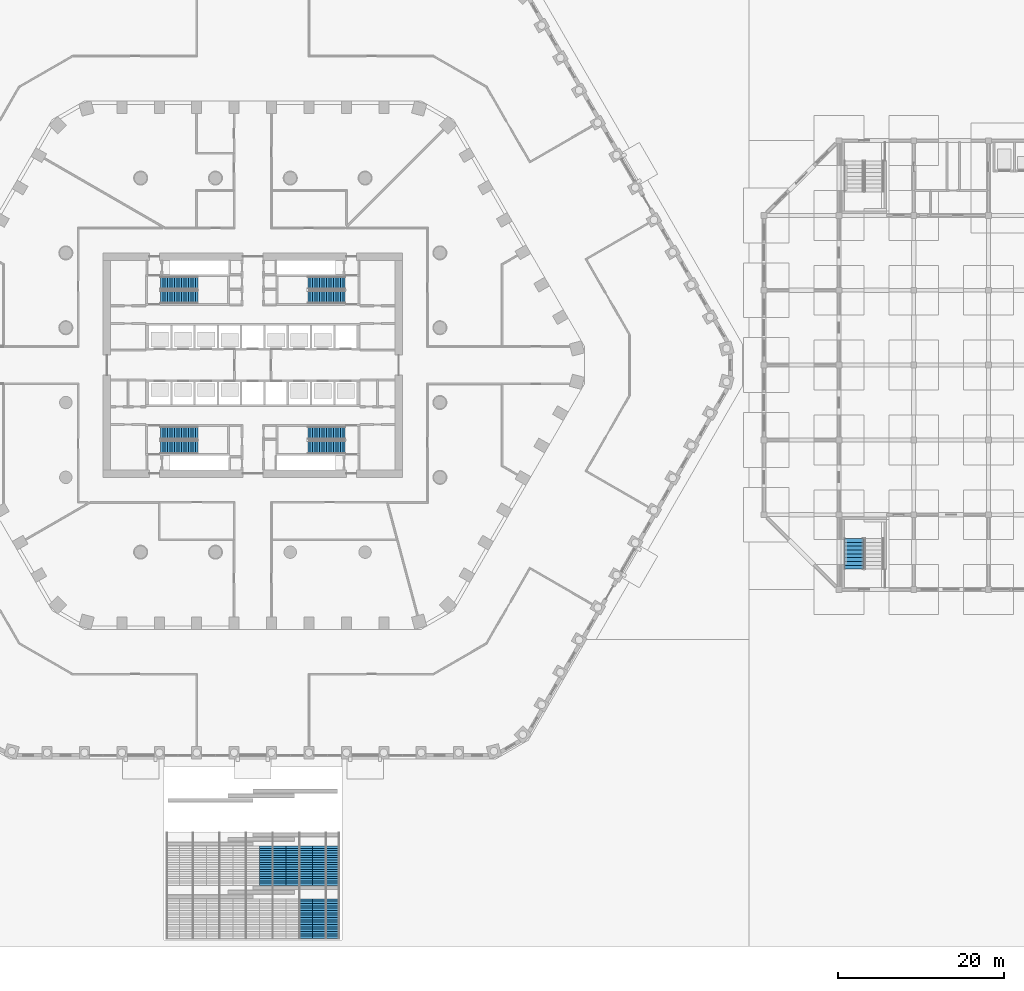
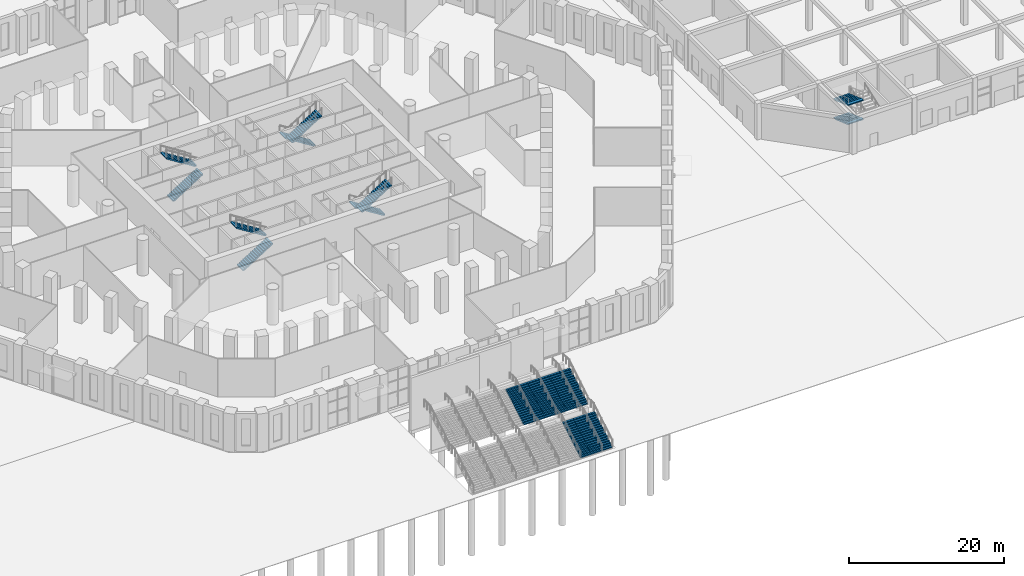
# One storey, part 29 of 44: 19 stair flights, 6 elements without a shape of their own.
"""IFC4 building model written with IfcOpenShell, lengths in metres."""

from ifc_helpers import new_model, si_unit, direction, frame, origin, place, context, subcontext, project, spatial, polyline, outline, extrude, material, type_object, element, aggregate, save


model = new_model("IFC4")

# Units and contexts
model_context = context("Model", 3, precision=1e-05, world=origin(), true_north=direction((0.0, 1.0)))
body_context = subcontext(model_context, "Body", "Model", "MODEL_VIEW")
ifc_project = project(units=[si_unit("LENGTHUNIT", "METRE"), si_unit("AREAUNIT", "SQUARE_METRE"), si_unit("VOLUMEUNIT", "CUBIC_METRE"), si_unit("PLANEANGLEUNIT", "RADIAN"), si_unit("MASSUNIT", "GRAM", prefix="KILO")], contexts=[model_context])

# Site, building, storey
site_placement = place(None, origin())
site = spatial("IfcSite", under=ifc_project, at=site_placement, CompositionType="ELEMENT")
building_placement = place(site_placement, origin())
building = spatial("IfcBuilding", under=site, at=building_placement, Name="Dhurran Vertical Campus", CompositionType="ELEMENT")
storey_placement = place(building_placement, origin())
storey = spatial("IfcBuildingStorey", under=building, at=storey_placement, Name="L00", CompositionType="ELEMENT", Elevation=0.0)

# Stair, stair flights
ifc_material_1 = material(Name="Concrete C40/50", Category="concrete")
stair_type_1 = type_object("IfcStairType", Name="co-ST-CORE", PredefinedType="HALF_TURN_STAIR", material=ifc_material_1)
stair_1_placement = place(storey_placement, origin())
stair_1 = element("IfcStair", 1, at=stair_1_placement, inside=storey, type_object=stair_type_1, Name="L00 Protected exit stair ST1", PredefinedType="HALF_TURN_STAIR")
ifc_material_2 = material(Name="Concrete C40/50", Category="concrete")
stair_flight_type_1 = type_object("IfcStairFlightType", Name="co-SFL-RC", PredefinedType="STRAIGHT", material=ifc_material_2)
stair_flight_1_placement = place(storey_placement, frame((-11.10009765625, 8.175048828125, 0.0), z_axis=(0.0, 0.0, 1.0), x_axis=(1.0, 0.0, 0.0)))
stair_flight_1 = element("IfcStairFlight", 2, at=stair_flight_1_placement, type_object=stair_flight_type_1, Name="ST1 flight 1", NumberOfRisers=17, NumberOfTreads=16, PredefinedType="STRAIGHT", RiserHeight=0.176470588, TreadLength=0.28, context=body_context, shape_type="SweptSolid", body=[
    extrude(outline(polyline([(0.0, 0.0), (0.0, 0.176513671875), (0.280029296875, 0.176513671875), (0.280029296875, 0.35302734375), (0.56005859375, 0.35302734375), (0.56005859375, 0.529296875), (0.840087890625, 0.529296875), (0.840087890625, 0.705810546875), (1.1201171875, 0.705810546875), (1.1201171875, 0.88232421875), (1.39990234375, 0.88232421875), (1.39990234375, 1.058837890625), (1.679931640625, 1.058837890625), (1.679931640625, 1.2353515625), (1.9599609375, 1.2353515625), (1.9599609375, 1.411865234375), (2.239990234375, 1.411865234375), (2.239990234375, 1.588134765625), (2.52001953125, 1.588134765625), (2.52001953125, 1.7646484375), (2.800048828125, 1.7646484375), (2.800048828125, 1.941162109375), (3.080078125, 1.941162109375), (3.080078125, 2.11767578125), (3.360107421875, 2.11767578125), (3.360107421875, 2.294189453125), (3.639892578125, 2.294189453125), (3.639892578125, 2.470703125), (3.919921875, 2.470703125), (3.919921875, 2.64697265625), (4.199951171875, 2.64697265625), (4.199951171875, 2.823486328125), (4.47998046875, 2.823486328125), (4.47998046875, 3.0), (4.47998046875, 2.646240234375), (0.28125, 0.0), (0.0, 0.0)])), frame((0.0, 0.77490234375, 0.0), z_axis=(0.0, -1.0, 0.0), x_axis=(1.0, 0.0, 0.0)), (0.0, 0.0, 1.0), 1.550048828125),
])
stair_flight_2_placement = place(storey_placement, frame((-6.6201171875, 9.875, 3.0), z_axis=(0.0, 0.0, 1.0), x_axis=(-1.0, 0.0, 0.0)))
stair_flight_2 = element("IfcStairFlight", 3, at=stair_flight_2_placement, type_object=stair_flight_type_1, Name="ST1 flight 2", NumberOfRisers=17, NumberOfTreads=16, PredefinedType="STRAIGHT", RiserHeight=0.176470588, TreadLength=0.28, context=body_context, shape_type="SweptSolid", body=[
    extrude(outline(polyline([(0.0, 0.0), (0.0, 0.176513671875), (0.280029296875, 0.176513671875), (0.280029296875, 0.35302734375), (0.56005859375, 0.35302734375), (0.56005859375, 0.529296875), (0.840087890625, 0.529296875), (0.840087890625, 0.705810546875), (1.1201171875, 0.705810546875), (1.1201171875, 0.88232421875), (1.39990234375, 0.88232421875), (1.39990234375, 1.058837890625), (1.679931640625, 1.058837890625), (1.679931640625, 1.2353515625), (1.9599609375, 1.2353515625), (1.9599609375, 1.411865234375), (2.239990234375, 1.411865234375), (2.239990234375, 1.588134765625), (2.52001953125, 1.588134765625), (2.52001953125, 1.7646484375), (2.800048828125, 1.7646484375), (2.800048828125, 1.941162109375), (3.080078125, 1.941162109375), (3.080078125, 2.11767578125), (3.360107421875, 2.11767578125), (3.360107421875, 2.294189453125), (3.639892578125, 2.294189453125), (3.639892578125, 2.470703125), (3.919921875, 2.470703125), (3.919921875, 2.64697265625), (4.199951171875, 2.64697265625), (4.199951171875, 2.823486328125), (4.47998046875, 2.823486328125), (4.47998046875, 3.0), (4.47998046875, 2.646240234375), (0.28125, 0.0), (0.0, 0.0)])), frame((0.0, 0.77490234375, 0.0), z_axis=(0.0, -1.0, 0.0), x_axis=(1.0, 0.0, 0.0)), (0.0, 0.0, 1.0), 1.550048828125),
])
aggregate(stair_1, [stair_flight_1, stair_flight_2])

stair_2_placement = place(storey_placement, origin())
stair_2 = element("IfcStair", 4, at=stair_2_placement, inside=storey, type_object=stair_type_1, Name="L00 Protected exit stair ST2", PredefinedType="HALF_TURN_STAIR")
stair_flight_3_placement = place(storey_placement, frame((11.10009765625, 9.875, 0.0), z_axis=(0.0, 0.0, 1.0), x_axis=(-1.0, 0.0, 0.0)))
stair_flight_3 = element("IfcStairFlight", 5, at=stair_flight_3_placement, type_object=stair_flight_type_1, Name="ST2 flight 1", NumberOfRisers=17, NumberOfTreads=16, PredefinedType="STRAIGHT", RiserHeight=0.176470588, TreadLength=0.28, context=body_context, shape_type="SweptSolid", body=[
    extrude(outline(polyline([(0.0, 0.0), (0.0, 0.176513671875), (0.280029296875, 0.176513671875), (0.280029296875, 0.35302734375), (0.56005859375, 0.35302734375), (0.56005859375, 0.529296875), (0.840087890625, 0.529296875), (0.840087890625, 0.705810546875), (1.1201171875, 0.705810546875), (1.1201171875, 0.88232421875), (1.39990234375, 0.88232421875), (1.39990234375, 1.058837890625), (1.679931640625, 1.058837890625), (1.679931640625, 1.2353515625), (1.9599609375, 1.2353515625), (1.9599609375, 1.411865234375), (2.239990234375, 1.411865234375), (2.239990234375, 1.588134765625), (2.52001953125, 1.588134765625), (2.52001953125, 1.7646484375), (2.800048828125, 1.7646484375), (2.800048828125, 1.941162109375), (3.080078125, 1.941162109375), (3.080078125, 2.11767578125), (3.360107421875, 2.11767578125), (3.360107421875, 2.294189453125), (3.639892578125, 2.294189453125), (3.639892578125, 2.470703125), (3.919921875, 2.470703125), (3.919921875, 2.64697265625), (4.199951171875, 2.64697265625), (4.199951171875, 2.823486328125), (4.47998046875, 2.823486328125), (4.47998046875, 3.0), (4.47998046875, 2.646240234375), (0.28125, 0.0), (0.0, 0.0)])), frame((0.0, 0.77490234375, 0.0), z_axis=(0.0, -1.0, 0.0), x_axis=(1.0, 0.0, 0.0)), (0.0, 0.0, 1.0), 1.550048828125),
])
stair_flight_4_placement = place(storey_placement, frame((6.6201171875, 8.175048828125, 3.0), z_axis=(0.0, 0.0, 1.0), x_axis=(1.0, 0.0, 0.0)))
stair_flight_4 = element("IfcStairFlight", 6, at=stair_flight_4_placement, type_object=stair_flight_type_1, Name="ST2 flight 2", NumberOfRisers=17, NumberOfTreads=16, PredefinedType="STRAIGHT", RiserHeight=0.176470588, TreadLength=0.28, context=body_context, shape_type="SweptSolid", body=[
    extrude(outline(polyline([(0.0, 0.0), (0.0, 0.176513671875), (0.280029296875, 0.176513671875), (0.280029296875, 0.35302734375), (0.56005859375, 0.35302734375), (0.56005859375, 0.529296875), (0.840087890625, 0.529296875), (0.840087890625, 0.705810546875), (1.1201171875, 0.705810546875), (1.1201171875, 0.88232421875), (1.39990234375, 0.88232421875), (1.39990234375, 1.058837890625), (1.679931640625, 1.058837890625), (1.679931640625, 1.2353515625), (1.9599609375, 1.2353515625), (1.9599609375, 1.411865234375), (2.239990234375, 1.411865234375), (2.239990234375, 1.588134765625), (2.52001953125, 1.588134765625), (2.52001953125, 1.7646484375), (2.800048828125, 1.7646484375), (2.800048828125, 1.941162109375), (3.080078125, 1.941162109375), (3.080078125, 2.11767578125), (3.360107421875, 2.11767578125), (3.360107421875, 2.294189453125), (3.639892578125, 2.294189453125), (3.639892578125, 2.470703125), (3.919921875, 2.470703125), (3.919921875, 2.64697265625), (4.199951171875, 2.64697265625), (4.199951171875, 2.823486328125), (4.47998046875, 2.823486328125), (4.47998046875, 3.0), (4.47998046875, 2.646240234375), (0.28125, 0.0), (0.0, 0.0)])), frame((0.0, 0.77490234375, 0.0), z_axis=(0.0, -1.0, 0.0), x_axis=(1.0, 0.0, 0.0)), (0.0, 0.0, 1.0), 1.550048828125),
])
aggregate(stair_2, [stair_flight_3, stair_flight_4])

stair_3_placement = place(storey_placement, origin())
stair_3 = element("IfcStair", 7, at=stair_3_placement, inside=storey, type_object=stair_type_1, Name="L00 Protected exit stair ST3", PredefinedType="HALF_TURN_STAIR")
stair_flight_5_placement = place(storey_placement, frame((-11.10009765625, -9.875, 0.0), z_axis=(0.0, 0.0, 1.0), x_axis=(1.0, 0.0, 0.0)))
stair_flight_5 = element("IfcStairFlight", 8, at=stair_flight_5_placement, type_object=stair_flight_type_1, Name="ST3 flight 1", NumberOfRisers=17, NumberOfTreads=16, PredefinedType="STRAIGHT", RiserHeight=0.176470588, TreadLength=0.28, context=body_context, shape_type="SweptSolid", body=[
    extrude(outline(polyline([(0.0, 0.0), (0.0, 0.176513671875), (0.280029296875, 0.176513671875), (0.280029296875, 0.35302734375), (0.56005859375, 0.35302734375), (0.56005859375, 0.529296875), (0.840087890625, 0.529296875), (0.840087890625, 0.705810546875), (1.1201171875, 0.705810546875), (1.1201171875, 0.88232421875), (1.39990234375, 0.88232421875), (1.39990234375, 1.058837890625), (1.679931640625, 1.058837890625), (1.679931640625, 1.2353515625), (1.9599609375, 1.2353515625), (1.9599609375, 1.411865234375), (2.239990234375, 1.411865234375), (2.239990234375, 1.588134765625), (2.52001953125, 1.588134765625), (2.52001953125, 1.7646484375), (2.800048828125, 1.7646484375), (2.800048828125, 1.941162109375), (3.080078125, 1.941162109375), (3.080078125, 2.11767578125), (3.360107421875, 2.11767578125), (3.360107421875, 2.294189453125), (3.639892578125, 2.294189453125), (3.639892578125, 2.470703125), (3.919921875, 2.470703125), (3.919921875, 2.64697265625), (4.199951171875, 2.64697265625), (4.199951171875, 2.823486328125), (4.47998046875, 2.823486328125), (4.47998046875, 3.0), (4.47998046875, 2.646240234375), (0.28125, 0.0), (0.0, 0.0)])), frame((0.0, 0.77490234375, 0.0), z_axis=(0.0, -1.0, 0.0), x_axis=(1.0, 0.0, 0.0)), (0.0, 0.0, 1.0), 1.550048828125),
])
stair_flight_6_placement = place(storey_placement, frame((-6.6201171875, -8.175048828125, 3.0), z_axis=(0.0, 0.0, 1.0), x_axis=(-1.0, 0.0, 0.0)))
stair_flight_6 = element("IfcStairFlight", 9, at=stair_flight_6_placement, type_object=stair_flight_type_1, Name="ST3 flight 2", NumberOfRisers=17, NumberOfTreads=16, PredefinedType="STRAIGHT", RiserHeight=0.176470588, TreadLength=0.28, context=body_context, shape_type="SweptSolid", body=[
    extrude(outline(polyline([(0.0, 0.0), (0.0, 0.176513671875), (0.280029296875, 0.176513671875), (0.280029296875, 0.35302734375), (0.56005859375, 0.35302734375), (0.56005859375, 0.529296875), (0.840087890625, 0.529296875), (0.840087890625, 0.705810546875), (1.1201171875, 0.705810546875), (1.1201171875, 0.88232421875), (1.39990234375, 0.88232421875), (1.39990234375, 1.058837890625), (1.679931640625, 1.058837890625), (1.679931640625, 1.2353515625), (1.9599609375, 1.2353515625), (1.9599609375, 1.411865234375), (2.239990234375, 1.411865234375), (2.239990234375, 1.588134765625), (2.52001953125, 1.588134765625), (2.52001953125, 1.7646484375), (2.800048828125, 1.7646484375), (2.800048828125, 1.941162109375), (3.080078125, 1.941162109375), (3.080078125, 2.11767578125), (3.360107421875, 2.11767578125), (3.360107421875, 2.294189453125), (3.639892578125, 2.294189453125), (3.639892578125, 2.470703125), (3.919921875, 2.470703125), (3.919921875, 2.64697265625), (4.199951171875, 2.64697265625), (4.199951171875, 2.823486328125), (4.47998046875, 2.823486328125), (4.47998046875, 3.0), (4.47998046875, 2.646240234375), (0.28125, 0.0), (0.0, 0.0)])), frame((0.0, 0.77490234375, 0.0), z_axis=(0.0, -1.0, 0.0), x_axis=(1.0, 0.0, 0.0)), (0.0, 0.0, 1.0), 1.550048828125),
])
aggregate(stair_3, [stair_flight_5, stair_flight_6])

stair_4_placement = place(storey_placement, origin())
stair_4 = element("IfcStair", 10, at=stair_4_placement, inside=storey, type_object=stair_type_1, Name="L00 Protected exit stair ST4", PredefinedType="HALF_TURN_STAIR")
stair_flight_7_placement = place(storey_placement, frame((11.10009765625, -8.175048828125, 0.0), z_axis=(0.0, 0.0, 1.0), x_axis=(-1.0, 0.0, 0.0)))
stair_flight_7 = element("IfcStairFlight", 11, at=stair_flight_7_placement, type_object=stair_flight_type_1, Name="ST4 flight 1", NumberOfRisers=17, NumberOfTreads=16, PredefinedType="STRAIGHT", RiserHeight=0.176470588, TreadLength=0.28, context=body_context, shape_type="SweptSolid", body=[
    extrude(outline(polyline([(0.0, 0.0), (0.0, 0.176513671875), (0.280029296875, 0.176513671875), (0.280029296875, 0.35302734375), (0.56005859375, 0.35302734375), (0.56005859375, 0.529296875), (0.840087890625, 0.529296875), (0.840087890625, 0.705810546875), (1.1201171875, 0.705810546875), (1.1201171875, 0.88232421875), (1.39990234375, 0.88232421875), (1.39990234375, 1.058837890625), (1.679931640625, 1.058837890625), (1.679931640625, 1.2353515625), (1.9599609375, 1.2353515625), (1.9599609375, 1.411865234375), (2.239990234375, 1.411865234375), (2.239990234375, 1.588134765625), (2.52001953125, 1.588134765625), (2.52001953125, 1.7646484375), (2.800048828125, 1.7646484375), (2.800048828125, 1.941162109375), (3.080078125, 1.941162109375), (3.080078125, 2.11767578125), (3.360107421875, 2.11767578125), (3.360107421875, 2.294189453125), (3.639892578125, 2.294189453125), (3.639892578125, 2.470703125), (3.919921875, 2.470703125), (3.919921875, 2.64697265625), (4.199951171875, 2.64697265625), (4.199951171875, 2.823486328125), (4.47998046875, 2.823486328125), (4.47998046875, 3.0), (4.47998046875, 2.646240234375), (0.28125, 0.0), (0.0, 0.0)])), frame((0.0, 0.77490234375, 0.0), z_axis=(0.0, -1.0, 0.0), x_axis=(1.0, 0.0, 0.0)), (0.0, 0.0, 1.0), 1.550048828125),
])
stair_flight_8_placement = place(storey_placement, frame((6.6201171875, -9.875, 3.0), z_axis=(0.0, 0.0, 1.0), x_axis=(1.0, 0.0, 0.0)))
stair_flight_8 = element("IfcStairFlight", 12, at=stair_flight_8_placement, type_object=stair_flight_type_1, Name="ST4 flight 2", NumberOfRisers=17, NumberOfTreads=16, PredefinedType="STRAIGHT", RiserHeight=0.176470588, TreadLength=0.28, context=body_context, shape_type="SweptSolid", body=[
    extrude(outline(polyline([(0.0, 0.0), (0.0, 0.176513671875), (0.280029296875, 0.176513671875), (0.280029296875, 0.35302734375), (0.56005859375, 0.35302734375), (0.56005859375, 0.529296875), (0.840087890625, 0.529296875), (0.840087890625, 0.705810546875), (1.1201171875, 0.705810546875), (1.1201171875, 0.88232421875), (1.39990234375, 0.88232421875), (1.39990234375, 1.058837890625), (1.679931640625, 1.058837890625), (1.679931640625, 1.2353515625), (1.9599609375, 1.2353515625), (1.9599609375, 1.411865234375), (2.239990234375, 1.411865234375), (2.239990234375, 1.588134765625), (2.52001953125, 1.588134765625), (2.52001953125, 1.7646484375), (2.800048828125, 1.7646484375), (2.800048828125, 1.941162109375), (3.080078125, 1.941162109375), (3.080078125, 2.11767578125), (3.360107421875, 2.11767578125), (3.360107421875, 2.294189453125), (3.639892578125, 2.294189453125), (3.639892578125, 2.470703125), (3.919921875, 2.470703125), (3.919921875, 2.64697265625), (4.199951171875, 2.64697265625), (4.199951171875, 2.823486328125), (4.47998046875, 2.823486328125), (4.47998046875, 3.0), (4.47998046875, 2.646240234375), (0.28125, 0.0), (0.0, 0.0)])), frame((0.0, 0.77490234375, 0.0), z_axis=(0.0, -1.0, 0.0), x_axis=(1.0, 0.0, 0.0)), (0.0, 0.0, 1.0), 1.550048828125),
])
aggregate(stair_4, [stair_flight_7, stair_flight_8])

ifc_material_3 = material(Name="Concrete C40/50", Category="concrete")
stair_type_2 = type_object("IfcStairType", Name="hl-exit stair dog-leg", PredefinedType="HALF_TURN_STAIR", material=ifc_material_3)
stair_5_placement = place(storey_placement, origin())
stair_5 = element("IfcStair", 13, at=stair_5_placement, inside=storey, type_object=stair_type_2, Name="L00 Exit stair HST1", PredefinedType="HALF_TURN_STAIR")
ifc_material_4 = material(Name="Concrete C40/50", Category="concrete")
stair_flight_type_2 = type_object("IfcStairFlightType", Name="hl-stair flight", PredefinedType="STRAIGHT", material=ifc_material_4)
stair_flight_9_placement = place(storey_placement, frame((72.300048828125, -20.85400390625, 1.5), z_axis=(0.0, 0.0, 1.0), x_axis=(0.0, -1.0, 0.0)))
stair_flight_9 = element("IfcStairFlight", 14, at=stair_flight_9_placement, type_object=stair_flight_type_2, Name="HST1 flight 2", NumberOfRisers=9, NumberOfTreads=8, PredefinedType="STRAIGHT", RiserHeight=0.166666667, TreadLength=0.462, context=body_context, shape_type="SweptSolid", body=[
    extrude(outline(polyline([(0.0, 0.0), (0.0, 0.166748046875), (0.4619140625, 0.166748046875), (0.4619140625, 0.333251953125), (0.924072265625, 0.333251953125), (0.924072265625, 0.5), (1.385986328125, 0.5), (1.385986328125, 0.666748046875), (1.847900390625, 0.666748046875), (1.847900390625, 0.833251953125), (2.31005859375, 0.833251953125), (2.31005859375, 1.0), (2.77197265625, 1.0), (2.77197265625, 1.166748046875), (3.23388671875, 1.166748046875), (3.23388671875, 1.333251953125), (3.696044921875, 1.333251953125), (3.696044921875, 1.5), (3.696044921875, 1.174072265625), (0.441650390625, 0.0), (0.0, 0.0)])), frame((0.0, 1.14990234375, 0.0), z_axis=(0.0, -1.0, 0.0), x_axis=(1.0, 0.0, 0.0)), (0.0, 0.0, 1.0), 2.300048828125),
])
stair_flight_10_placement = place(storey_placement, frame((72.300048828125, -20.85400390625, 4.5), z_axis=(0.0, 0.0, 1.0), x_axis=(0.0, -1.0, 0.0)))
stair_flight_10 = element("IfcStairFlight", 15, at=stair_flight_10_placement, type_object=stair_flight_type_2, Name="HST1 flight 4", NumberOfRisers=9, NumberOfTreads=8, PredefinedType="STRAIGHT", RiserHeight=0.166666667, TreadLength=0.462, context=body_context, shape_type="SweptSolid", body=[
    extrude(outline(polyline([(0.0, 0.0), (0.0, 0.166748046875), (0.4619140625, 0.166748046875), (0.4619140625, 0.333251953125), (0.924072265625, 0.333251953125), (0.924072265625, 0.5), (1.385986328125, 0.5), (1.385986328125, 0.666748046875), (1.847900390625, 0.666748046875), (1.847900390625, 0.833251953125), (2.31005859375, 0.833251953125), (2.31005859375, 1.0), (2.77197265625, 1.0), (2.77197265625, 1.166748046875), (3.23388671875, 1.166748046875), (3.23388671875, 1.333251953125), (3.696044921875, 1.333251953125), (3.696044921875, 1.5), (3.696044921875, 1.174072265625), (0.441650390625, 0.0), (0.0, 0.0)])), frame((0.0, 1.14990234375, 0.0), z_axis=(0.0, -1.0, 0.0), x_axis=(1.0, 0.0, 0.0)), (0.0, 0.0, 1.0), 2.300048828125),
])
aggregate(stair_5, [stair_flight_9, stair_flight_10])

ifc_material_5 = material(Name="Concrete C40/50", Category="concrete")
stair_type_3 = type_object("IfcStairType", Name="st-broad stair straight 3 flights", PredefinedType="STRAIGHT_RUN_STAIR", material=ifc_material_5)
stair_6_placement = place(storey_placement, origin())
stair_6 = element("IfcStair", 16, at=stair_6_placement, inside=storey, type_object=stair_type_3, Name="Broad stair DS1 from the plaza to the first floor level", PredefinedType="STRAIGHT_RUN_STAIR")
ifc_material_6 = material(Name="Concrete C40/50", Category="concrete")
stair_flight_type_3 = type_object("IfcStairFlightType", Name="st-broad stair flight", PredefinedType="STRAIGHT", material=ifc_material_6)
stair_flight_11_placement = place(storey_placement, frame((6.39990234375, -68.96826171875, 0.0), z_axis=(0.0, 0.0, 1.0), x_axis=(0.0, 1.0, 0.0)))
stair_flight_11 = element("IfcStairFlight", 17, at=stair_flight_11_placement, type_object=stair_flight_type_3, Name="DS1 flight 11", NumberOfRisers=18, NumberOfTreads=17, PredefinedType="STRAIGHT", RiserHeight=0.166666667, TreadLength=0.28, context=body_context, shape_type="SweptSolid", body=[
    extrude(outline(polyline([(0.0, 0.0), (0.0, 0.166748046875), (0.280029296875, 0.166748046875), (0.280029296875, 0.333251953125), (0.56005859375, 0.333251953125), (0.56005859375, 0.5), (0.840087890625, 0.5), (0.840087890625, 0.666748046875), (1.1201171875, 0.666748046875), (1.1201171875, 0.833251953125), (1.39990234375, 0.833251953125), (1.39990234375, 1.0), (1.679931640625, 1.0), (1.679931640625, 1.166748046875), (1.9599609375, 1.166748046875), (1.9599609375, 1.333251953125), (2.239990234375, 1.333251953125), (2.239990234375, 1.5), (2.52001953125, 1.5), (2.52001953125, 1.666748046875), (2.800048828125, 1.666748046875), (2.800048828125, 1.833251953125), (3.080078125, 1.833251953125), (3.080078125, 2.0), (3.360107421875, 2.0), (3.360107421875, 2.166748046875), (3.639892578125, 2.166748046875), (3.639892578125, 2.333251953125), (3.919921875, 2.333251953125), (3.919921875, 2.5), (4.199951171875, 2.5), (4.199951171875, 2.666748046875), (4.47998046875, 2.666748046875), (4.47998046875, 2.833251953125), (4.760009765625, 2.833251953125), (4.760009765625, 3.0), (4.760009765625, 2.658935546875), (0.29296875, 0.0), (0.0, 0.0)])), frame((0.0, 0.800048828125, 0.0), z_axis=(0.0, -1.0, 0.0), x_axis=(1.0, 0.0, 0.0)), (0.0, 0.0, 1.0), 1.60009765625),
])
stair_flight_12_placement = place(storey_placement, frame((8.0, -68.96826171875, 0.0), z_axis=(0.0, 0.0, 1.0), x_axis=(0.0, 1.0, 0.0)))
stair_flight_12 = element("IfcStairFlight", 18, at=stair_flight_12_placement, type_object=stair_flight_type_3, Name="DS1 flight 12", NumberOfRisers=18, NumberOfTreads=17, PredefinedType="STRAIGHT", RiserHeight=0.166666667, TreadLength=0.28, context=body_context, shape_type="SweptSolid", body=[
    extrude(outline(polyline([(0.0, 0.0), (0.0, 0.166748046875), (0.280029296875, 0.166748046875), (0.280029296875, 0.333251953125), (0.56005859375, 0.333251953125), (0.56005859375, 0.5), (0.840087890625, 0.5), (0.840087890625, 0.666748046875), (1.1201171875, 0.666748046875), (1.1201171875, 0.833251953125), (1.39990234375, 0.833251953125), (1.39990234375, 1.0), (1.679931640625, 1.0), (1.679931640625, 1.166748046875), (1.9599609375, 1.166748046875), (1.9599609375, 1.333251953125), (2.239990234375, 1.333251953125), (2.239990234375, 1.5), (2.52001953125, 1.5), (2.52001953125, 1.666748046875), (2.800048828125, 1.666748046875), (2.800048828125, 1.833251953125), (3.080078125, 1.833251953125), (3.080078125, 2.0), (3.360107421875, 2.0), (3.360107421875, 2.166748046875), (3.639892578125, 2.166748046875), (3.639892578125, 2.333251953125), (3.919921875, 2.333251953125), (3.919921875, 2.5), (4.199951171875, 2.5), (4.199951171875, 2.666748046875), (4.47998046875, 2.666748046875), (4.47998046875, 2.833251953125), (4.760009765625, 2.833251953125), (4.760009765625, 3.0), (4.760009765625, 2.658935546875), (0.29296875, 0.0), (0.0, 0.0)])), frame((0.0, 0.800048828125, 0.0), z_axis=(0.0, -1.0, 0.0), x_axis=(1.0, 0.0, 0.0)), (0.0, 0.0, 1.0), 1.60009765625),
])
stair_flight_13_placement = place(storey_placement, frame((9.60009765625, -68.96826171875, 0.0), z_axis=(0.0, 0.0, 1.0), x_axis=(0.0, 1.0, 0.0)))
stair_flight_13 = element("IfcStairFlight", 19, at=stair_flight_13_placement, type_object=stair_flight_type_3, Name="DS1 flight 13", NumberOfRisers=18, NumberOfTreads=17, PredefinedType="STRAIGHT", RiserHeight=0.166666667, TreadLength=0.28, context=body_context, shape_type="SweptSolid", body=[
    extrude(outline(polyline([(0.0, 0.0), (0.0, 0.166748046875), (0.280029296875, 0.166748046875), (0.280029296875, 0.333251953125), (0.56005859375, 0.333251953125), (0.56005859375, 0.5), (0.840087890625, 0.5), (0.840087890625, 0.666748046875), (1.1201171875, 0.666748046875), (1.1201171875, 0.833251953125), (1.39990234375, 0.833251953125), (1.39990234375, 1.0), (1.679931640625, 1.0), (1.679931640625, 1.166748046875), (1.9599609375, 1.166748046875), (1.9599609375, 1.333251953125), (2.239990234375, 1.333251953125), (2.239990234375, 1.5), (2.52001953125, 1.5), (2.52001953125, 1.666748046875), (2.800048828125, 1.666748046875), (2.800048828125, 1.833251953125), (3.080078125, 1.833251953125), (3.080078125, 2.0), (3.360107421875, 2.0), (3.360107421875, 2.166748046875), (3.639892578125, 2.166748046875), (3.639892578125, 2.333251953125), (3.919921875, 2.333251953125), (3.919921875, 2.5), (4.199951171875, 2.5), (4.199951171875, 2.666748046875), (4.47998046875, 2.666748046875), (4.47998046875, 2.833251953125), (4.760009765625, 2.833251953125), (4.760009765625, 3.0), (4.760009765625, 2.658935546875), (0.29296875, 0.0), (0.0, 0.0)])), frame((0.0, 0.800048828125, 0.0), z_axis=(0.0, -1.0, 0.0), x_axis=(1.0, 0.0, 0.0)), (0.0, 0.0, 1.0), 1.60009765625),
])
stair_flight_14_placement = place(storey_placement, frame((1.60009765625, -62.6083984375, 3.0), z_axis=(0.0, 0.0, 1.0), x_axis=(0.0, 1.0, 0.0)))
stair_flight_14 = element("IfcStairFlight", 20, at=stair_flight_14_placement, type_object=stair_flight_type_3, Name="DS1 flight 21", NumberOfRisers=18, NumberOfTreads=17, PredefinedType="STRAIGHT", RiserHeight=0.166666667, TreadLength=0.28, context=body_context, shape_type="SweptSolid", body=[
    extrude(outline(polyline([(0.0, 0.0), (0.0, 0.166748046875), (0.280029296875, 0.166748046875), (0.280029296875, 0.333251953125), (0.56005859375, 0.333251953125), (0.56005859375, 0.5), (0.840087890625, 0.5), (0.840087890625, 0.666748046875), (1.1201171875, 0.666748046875), (1.1201171875, 0.833251953125), (1.39990234375, 0.833251953125), (1.39990234375, 1.0), (1.679931640625, 1.0), (1.679931640625, 1.166748046875), (1.9599609375, 1.166748046875), (1.9599609375, 1.333251953125), (2.239990234375, 1.333251953125), (2.239990234375, 1.5), (2.52001953125, 1.5), (2.52001953125, 1.666748046875), (2.800048828125, 1.666748046875), (2.800048828125, 1.833251953125), (3.080078125, 1.833251953125), (3.080078125, 2.0), (3.360107421875, 2.0), (3.360107421875, 2.166748046875), (3.639892578125, 2.166748046875), (3.639892578125, 2.333251953125), (3.919921875, 2.333251953125), (3.919921875, 2.5), (4.199951171875, 2.5), (4.199951171875, 2.666748046875), (4.47998046875, 2.666748046875), (4.47998046875, 2.833251953125), (4.760009765625, 2.833251953125), (4.760009765625, 3.0), (4.760009765625, 2.658935546875), (0.29296875, 0.0), (0.0, 0.0)])), frame((0.0, 0.800048828125, 0.0), z_axis=(0.0, -1.0, 0.0), x_axis=(1.0, 0.0, 0.0)), (0.0, 0.0, 1.0), 1.60009765625),
])
stair_flight_15_placement = place(storey_placement, frame((3.199951171875, -62.6083984375, 3.0), z_axis=(0.0, 0.0, 1.0), x_axis=(0.0, 1.0, 0.0)))
stair_flight_15 = element("IfcStairFlight", 21, at=stair_flight_15_placement, type_object=stair_flight_type_3, Name="DS1 flight 22", NumberOfRisers=18, NumberOfTreads=17, PredefinedType="STRAIGHT", RiserHeight=0.166666667, TreadLength=0.28, context=body_context, shape_type="SweptSolid", body=[
    extrude(outline(polyline([(0.0, 0.0), (0.0, 0.166748046875), (0.280029296875, 0.166748046875), (0.280029296875, 0.333251953125), (0.56005859375, 0.333251953125), (0.56005859375, 0.5), (0.840087890625, 0.5), (0.840087890625, 0.666748046875), (1.1201171875, 0.666748046875), (1.1201171875, 0.833251953125), (1.39990234375, 0.833251953125), (1.39990234375, 1.0), (1.679931640625, 1.0), (1.679931640625, 1.166748046875), (1.9599609375, 1.166748046875), (1.9599609375, 1.333251953125), (2.239990234375, 1.333251953125), (2.239990234375, 1.5), (2.52001953125, 1.5), (2.52001953125, 1.666748046875), (2.800048828125, 1.666748046875), (2.800048828125, 1.833251953125), (3.080078125, 1.833251953125), (3.080078125, 2.0), (3.360107421875, 2.0), (3.360107421875, 2.166748046875), (3.639892578125, 2.166748046875), (3.639892578125, 2.333251953125), (3.919921875, 2.333251953125), (3.919921875, 2.5), (4.199951171875, 2.5), (4.199951171875, 2.666748046875), (4.47998046875, 2.666748046875), (4.47998046875, 2.833251953125), (4.760009765625, 2.833251953125), (4.760009765625, 3.0), (4.760009765625, 2.658935546875), (0.29296875, 0.0), (0.0, 0.0)])), frame((0.0, 0.800048828125, 0.0), z_axis=(0.0, -1.0, 0.0), x_axis=(1.0, 0.0, 0.0)), (0.0, 0.0, 1.0), 1.60009765625),
])
stair_flight_16_placement = place(storey_placement, frame((4.800048828125, -62.6083984375, 3.0), z_axis=(0.0, 0.0, 1.0), x_axis=(0.0, 1.0, 0.0)))
stair_flight_16 = element("IfcStairFlight", 22, at=stair_flight_16_placement, type_object=stair_flight_type_3, Name="DS1 flight 23", NumberOfRisers=18, NumberOfTreads=17, PredefinedType="STRAIGHT", RiserHeight=0.166666667, TreadLength=0.28, context=body_context, shape_type="SweptSolid", body=[
    extrude(outline(polyline([(0.0, 0.0), (0.0, 0.166748046875), (0.280029296875, 0.166748046875), (0.280029296875, 0.333251953125), (0.56005859375, 0.333251953125), (0.56005859375, 0.5), (0.840087890625, 0.5), (0.840087890625, 0.666748046875), (1.1201171875, 0.666748046875), (1.1201171875, 0.833251953125), (1.39990234375, 0.833251953125), (1.39990234375, 1.0), (1.679931640625, 1.0), (1.679931640625, 1.166748046875), (1.9599609375, 1.166748046875), (1.9599609375, 1.333251953125), (2.239990234375, 1.333251953125), (2.239990234375, 1.5), (2.52001953125, 1.5), (2.52001953125, 1.666748046875), (2.800048828125, 1.666748046875), (2.800048828125, 1.833251953125), (3.080078125, 1.833251953125), (3.080078125, 2.0), (3.360107421875, 2.0), (3.360107421875, 2.166748046875), (3.639892578125, 2.166748046875), (3.639892578125, 2.333251953125), (3.919921875, 2.333251953125), (3.919921875, 2.5), (4.199951171875, 2.5), (4.199951171875, 2.666748046875), (4.47998046875, 2.666748046875), (4.47998046875, 2.833251953125), (4.760009765625, 2.833251953125), (4.760009765625, 3.0), (4.760009765625, 2.658935546875), (0.29296875, 0.0), (0.0, 0.0)])), frame((0.0, 0.800048828125, 0.0), z_axis=(0.0, -1.0, 0.0), x_axis=(1.0, 0.0, 0.0)), (0.0, 0.0, 1.0), 1.60009765625),
])
stair_flight_17_placement = place(storey_placement, frame((6.39990234375, -62.6083984375, 3.0), z_axis=(0.0, 0.0, 1.0), x_axis=(0.0, 1.0, 0.0)))
stair_flight_17 = element("IfcStairFlight", 23, at=stair_flight_17_placement, type_object=stair_flight_type_3, Name="DS1 flight 24", NumberOfRisers=18, NumberOfTreads=17, PredefinedType="STRAIGHT", RiserHeight=0.166666667, TreadLength=0.28, context=body_context, shape_type="SweptSolid", body=[
    extrude(outline(polyline([(0.0, 0.0), (0.0, 0.166748046875), (0.280029296875, 0.166748046875), (0.280029296875, 0.333251953125), (0.56005859375, 0.333251953125), (0.56005859375, 0.5), (0.840087890625, 0.5), (0.840087890625, 0.666748046875), (1.1201171875, 0.666748046875), (1.1201171875, 0.833251953125), (1.39990234375, 0.833251953125), (1.39990234375, 1.0), (1.679931640625, 1.0), (1.679931640625, 1.166748046875), (1.9599609375, 1.166748046875), (1.9599609375, 1.333251953125), (2.239990234375, 1.333251953125), (2.239990234375, 1.5), (2.52001953125, 1.5), (2.52001953125, 1.666748046875), (2.800048828125, 1.666748046875), (2.800048828125, 1.833251953125), (3.080078125, 1.833251953125), (3.080078125, 2.0), (3.360107421875, 2.0), (3.360107421875, 2.166748046875), (3.639892578125, 2.166748046875), (3.639892578125, 2.333251953125), (3.919921875, 2.333251953125), (3.919921875, 2.5), (4.199951171875, 2.5), (4.199951171875, 2.666748046875), (4.47998046875, 2.666748046875), (4.47998046875, 2.833251953125), (4.760009765625, 2.833251953125), (4.760009765625, 3.0), (4.760009765625, 2.658935546875), (0.29296875, 0.0), (0.0, 0.0)])), frame((0.0, 0.800048828125, 0.0), z_axis=(0.0, -1.0, 0.0), x_axis=(1.0, 0.0, 0.0)), (0.0, 0.0, 1.0), 1.60009765625),
])
stair_flight_18_placement = place(storey_placement, frame((8.0, -62.6083984375, 3.0), z_axis=(0.0, 0.0, 1.0), x_axis=(0.0, 1.0, 0.0)))
stair_flight_18 = element("IfcStairFlight", 24, at=stair_flight_18_placement, type_object=stair_flight_type_3, Name="DS1 flight 25", NumberOfRisers=18, NumberOfTreads=17, PredefinedType="STRAIGHT", RiserHeight=0.166666667, TreadLength=0.28, context=body_context, shape_type="SweptSolid", body=[
    extrude(outline(polyline([(0.0, 0.0), (0.0, 0.166748046875), (0.280029296875, 0.166748046875), (0.280029296875, 0.333251953125), (0.56005859375, 0.333251953125), (0.56005859375, 0.5), (0.840087890625, 0.5), (0.840087890625, 0.666748046875), (1.1201171875, 0.666748046875), (1.1201171875, 0.833251953125), (1.39990234375, 0.833251953125), (1.39990234375, 1.0), (1.679931640625, 1.0), (1.679931640625, 1.166748046875), (1.9599609375, 1.166748046875), (1.9599609375, 1.333251953125), (2.239990234375, 1.333251953125), (2.239990234375, 1.5), (2.52001953125, 1.5), (2.52001953125, 1.666748046875), (2.800048828125, 1.666748046875), (2.800048828125, 1.833251953125), (3.080078125, 1.833251953125), (3.080078125, 2.0), (3.360107421875, 2.0), (3.360107421875, 2.166748046875), (3.639892578125, 2.166748046875), (3.639892578125, 2.333251953125), (3.919921875, 2.333251953125), (3.919921875, 2.5), (4.199951171875, 2.5), (4.199951171875, 2.666748046875), (4.47998046875, 2.666748046875), (4.47998046875, 2.833251953125), (4.760009765625, 2.833251953125), (4.760009765625, 3.0), (4.760009765625, 2.658935546875), (0.29296875, 0.0), (0.0, 0.0)])), frame((0.0, 0.800048828125, 0.0), z_axis=(0.0, -1.0, 0.0), x_axis=(1.0, 0.0, 0.0)), (0.0, 0.0, 1.0), 1.60009765625),
])
stair_flight_19_placement = place(storey_placement, frame((9.60009765625, -62.6083984375, 3.0), z_axis=(0.0, 0.0, 1.0), x_axis=(0.0, 1.0, 0.0)))
stair_flight_19 = element("IfcStairFlight", 25, at=stair_flight_19_placement, type_object=stair_flight_type_3, Name="DS1 flight 26", NumberOfRisers=18, NumberOfTreads=17, PredefinedType="STRAIGHT", RiserHeight=0.166666667, TreadLength=0.28, context=body_context, shape_type="SweptSolid", body=[
    extrude(outline(polyline([(0.0, 0.0), (0.0, 0.166748046875), (0.280029296875, 0.166748046875), (0.280029296875, 0.333251953125), (0.56005859375, 0.333251953125), (0.56005859375, 0.5), (0.840087890625, 0.5), (0.840087890625, 0.666748046875), (1.1201171875, 0.666748046875), (1.1201171875, 0.833251953125), (1.39990234375, 0.833251953125), (1.39990234375, 1.0), (1.679931640625, 1.0), (1.679931640625, 1.166748046875), (1.9599609375, 1.166748046875), (1.9599609375, 1.333251953125), (2.239990234375, 1.333251953125), (2.239990234375, 1.5), (2.52001953125, 1.5), (2.52001953125, 1.666748046875), (2.800048828125, 1.666748046875), (2.800048828125, 1.833251953125), (3.080078125, 1.833251953125), (3.080078125, 2.0), (3.360107421875, 2.0), (3.360107421875, 2.166748046875), (3.639892578125, 2.166748046875), (3.639892578125, 2.333251953125), (3.919921875, 2.333251953125), (3.919921875, 2.5), (4.199951171875, 2.5), (4.199951171875, 2.666748046875), (4.47998046875, 2.666748046875), (4.47998046875, 2.833251953125), (4.760009765625, 2.833251953125), (4.760009765625, 3.0), (4.760009765625, 2.658935546875), (0.29296875, 0.0), (0.0, 0.0)])), frame((0.0, 0.800048828125, 0.0), z_axis=(0.0, -1.0, 0.0), x_axis=(1.0, 0.0, 0.0)), (0.0, 0.0, 1.0), 1.60009765625),
])
aggregate(stair_6, [stair_flight_11, stair_flight_12, stair_flight_13, stair_flight_14, stair_flight_15, stair_flight_16, stair_flight_17, stair_flight_18, stair_flight_19])

save(model, "model.ifc")
